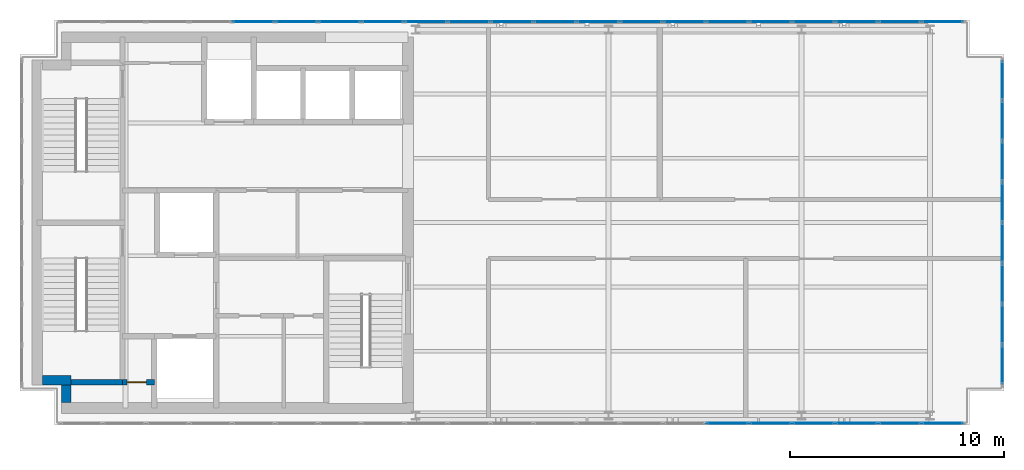
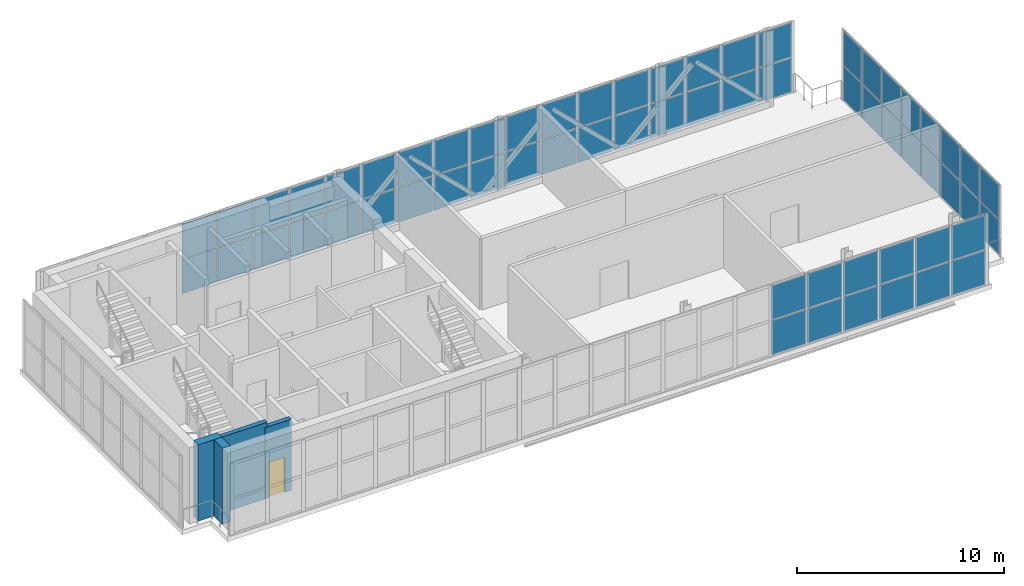
# One storey, part 17 of 21: 62 plates, 4 walls, 1 door, 1 opening, 3 elements without a shape of their own.
"""IFC4 building model written with IfcOpenShell, lengths in metres."""

from ifc_helpers import new_model, si_unit, direction, frame, frame_2d, origin, origin_2d, place, context, subcontext, project, spatial, rectangle, extrude, material, layer, layer_set, type_object, element, fill, aggregate, save


model = new_model("IFC4")

# Units and contexts
model_context = context("Model", 3, precision=1e-05, world=origin(), true_north=direction((0.0, 1.0)))
body_context = subcontext(model_context, "Body", "Model", "MODEL_VIEW")
ifc_project = project(units=[si_unit("LENGTHUNIT", "METRE"), si_unit("AREAUNIT", "SQUARE_METRE"), si_unit("VOLUMEUNIT", "CUBIC_METRE"), si_unit("PLANEANGLEUNIT", "RADIAN"), si_unit("MASSUNIT", "GRAM", prefix="KILO")], contexts=[model_context])

# Site, building, storey
site_placement = place(None, origin())
site = spatial("IfcSite", under=ifc_project, at=site_placement, CompositionType="ELEMENT")
building_placement = place(site_placement, origin())
building = spatial("IfcBuilding", under=site, at=building_placement, Name="Mawjdan Bourse Tower", CompositionType="ELEMENT")
storey_placement = place(building_placement, frame((0.0, 0.0, 313.199951171875)))
storey = spatial("IfcBuildingStorey", under=building, at=storey_placement, Name="L77", CompositionType="ELEMENT", Elevation=313.199951171875)

# Curtain wall, plates
ifc_material_1 = material(Name="Thermally Broken Aluminium and Solar Glass", Category="aluminium")
ifc_layer_1 = layer(ifc_material_1, 0.219970703125)
ifc_layer_set_1 = layer_set([ifc_layer_1], Name="Thermally Broken Aluminium and Solar Glass")
curtain_wall_type = type_object("IfcCurtainWallType", Name="CW-CRN", PredefinedType="USERDEFINED", material=ifc_layer_set_1)
curtain_wall_1_placement = place(storey_placement, origin())
curtain_wall_1 = element("IfcCurtainWall", 1, at=curtain_wall_1_placement, inside=storey, type_object=curtain_wall_type, Name="L77 Lantern Crown South Curtain Wall", ObjectType="LANTERN GLAZED CROWN", PredefinedType="USERDEFINED")
ifc_material_2 = material(Name="Night-Lit Fritted Lantern Glass", Category="glass")
ifc_layer_2 = layer(ifc_material_2, 0.0439453125)
ifc_layer_set_2 = layer_set([ifc_layer_2], Name="Night-Lit Fritted Lantern Glass")
plate_type = type_object("IfcPlateType", Name="PNL-CW-CRN", PredefinedType="CURTAIN_PANEL", material=ifc_layer_set_2)
plate_1_placement = place(storey_placement, frame((38.547607421875, 2.6298828125, 0.06005859375), z_axis=(0.0, 0.0, 1.0), x_axis=(1.0, 0.0, 0.0)))
plate_1 = element("IfcPlate", 2, at=plate_1_placement, type_object=plate_type, Name="CW-CRN-L77-CRN-S panel 16.1", PredefinedType="CURTAIN_PANEL", context=body_context, shape_type="SweptSolid", body=[
    extrude(rectangle(XDim=1.9345703125, YDim=0.0439453125, at=origin_2d()), origin(), (0.0, 0.0, 1.0), 2.02001953125),
])
plate_2_placement = place(storey_placement, frame((38.547607421875, 2.6298828125, 2.14013671875), z_axis=(0.0, 0.0, 1.0), x_axis=(1.0, 0.0, 0.0)))
plate_2 = element("IfcPlate", 3, at=plate_2_placement, type_object=plate_type, Name="CW-CRN-L77-CRN-S panel 16.2", PredefinedType="CURTAIN_PANEL", context=body_context, shape_type="SweptSolid", body=[
    extrude(rectangle(XDim=1.9345703125, YDim=0.0439453125, at=origin_2d()), origin(), (0.0, 0.0, 1.0), 2.02001953125),
])
plate_3_placement = place(storey_placement, frame((40.55712890625, 2.6298828125, 0.06005859375), z_axis=(0.0, 0.0, 1.0), x_axis=(1.0, 0.0, 0.0)))
plate_3 = element("IfcPlate", 4, at=plate_3_placement, type_object=plate_type, Name="CW-CRN-L77-CRN-S panel 17.1", PredefinedType="CURTAIN_PANEL", context=body_context, shape_type="SweptSolid", body=[
    extrude(rectangle(XDim=1.9345703125, YDim=0.0439453125, at=origin_2d()), origin(), (0.0, 0.0, 1.0), 2.02001953125),
])
plate_4_placement = place(storey_placement, frame((40.55712890625, 2.6298828125, 2.14013671875), z_axis=(0.0, 0.0, 1.0), x_axis=(1.0, 0.0, 0.0)))
plate_4 = element("IfcPlate", 5, at=plate_4_placement, type_object=plate_type, Name="CW-CRN-L77-CRN-S panel 17.2", PredefinedType="CURTAIN_PANEL", context=body_context, shape_type="SweptSolid", body=[
    extrude(rectangle(XDim=1.9345703125, YDim=0.0439453125, at=origin_2d()), origin(), (0.0, 0.0, 1.0), 2.02001953125),
])
plate_5_placement = place(storey_placement, frame((42.566650390625, 2.6298828125, 0.06005859375), z_axis=(0.0, 0.0, 1.0), x_axis=(1.0, 0.0, 0.0)))
plate_5 = element("IfcPlate", 6, at=plate_5_placement, type_object=plate_type, Name="CW-CRN-L77-CRN-S panel 18.1", PredefinedType="CURTAIN_PANEL", context=body_context, shape_type="SweptSolid", body=[
    extrude(rectangle(XDim=1.9345703125, YDim=0.0439453125, at=origin_2d()), origin(), (0.0, 0.0, 1.0), 2.02001953125),
])
plate_6_placement = place(storey_placement, frame((42.566650390625, 2.6298828125, 2.14013671875), z_axis=(0.0, 0.0, 1.0), x_axis=(1.0, 0.0, 0.0)))
plate_6 = element("IfcPlate", 7, at=plate_6_placement, type_object=plate_type, Name="CW-CRN-L77-CRN-S panel 18.2", PredefinedType="CURTAIN_PANEL", context=body_context, shape_type="SweptSolid", body=[
    extrude(rectangle(XDim=1.9345703125, YDim=0.0439453125, at=origin_2d()), origin(), (0.0, 0.0, 1.0), 2.02001953125),
])
plate_7_placement = place(storey_placement, frame((44.576171875, 2.6298828125, 0.06005859375), z_axis=(0.0, 0.0, 1.0), x_axis=(1.0, 0.0, 0.0)))
plate_7 = element("IfcPlate", 8, at=plate_7_placement, type_object=plate_type, Name="CW-CRN-L77-CRN-S panel 19.1", PredefinedType="CURTAIN_PANEL", context=body_context, shape_type="SweptSolid", body=[
    extrude(rectangle(XDim=1.9345703125, YDim=0.0439453125, at=origin_2d()), origin(), (0.0, 0.0, 1.0), 2.02001953125),
])
plate_8_placement = place(storey_placement, frame((44.576171875, 2.6298828125, 2.14013671875), z_axis=(0.0, 0.0, 1.0), x_axis=(1.0, 0.0, 0.0)))
plate_8 = element("IfcPlate", 9, at=plate_8_placement, type_object=plate_type, Name="CW-CRN-L77-CRN-S panel 19.2", PredefinedType="CURTAIN_PANEL", context=body_context, shape_type="SweptSolid", body=[
    extrude(rectangle(XDim=1.9345703125, YDim=0.0439453125, at=origin_2d()), origin(), (0.0, 0.0, 1.0), 2.02001953125),
])
plate_9_placement = place(storey_placement, frame((46.585693359375, 2.6298828125, 0.06005859375), z_axis=(0.0, 0.0, 1.0), x_axis=(1.0, 0.0, 0.0)))
plate_9 = element("IfcPlate", 10, at=plate_9_placement, type_object=plate_type, Name="CW-CRN-L77-CRN-S panel 20.1", PredefinedType="CURTAIN_PANEL", context=body_context, shape_type="SweptSolid", body=[
    extrude(rectangle(XDim=1.9345703125, YDim=0.0439453125, at=origin_2d()), origin(), (0.0, 0.0, 1.0), 2.02001953125),
])
plate_10_placement = place(storey_placement, frame((46.585693359375, 2.6298828125, 2.14013671875), z_axis=(0.0, 0.0, 1.0), x_axis=(1.0, 0.0, 0.0)))
plate_10 = element("IfcPlate", 11, at=plate_10_placement, type_object=plate_type, Name="CW-CRN-L77-CRN-S panel 20.2", PredefinedType="CURTAIN_PANEL", context=body_context, shape_type="SweptSolid", body=[
    extrude(rectangle(XDim=1.9345703125, YDim=0.0439453125, at=origin_2d()), origin(), (0.0, 0.0, 1.0), 2.02001953125),
])
plate_11_placement = place(storey_placement, frame((48.576416015625, 2.6298828125, 0.06005859375), z_axis=(0.0, 0.0, 1.0), x_axis=(1.0, 0.0, 0.0)))
plate_11 = element("IfcPlate", 12, at=plate_11_placement, type_object=plate_type, Name="CW-CRN-L77-CRN-S panel 21.1", PredefinedType="CURTAIN_PANEL", context=body_context, shape_type="SweptSolid", body=[
    extrude(rectangle(XDim=1.89697265625, YDim=0.0439453125, at=origin_2d()), origin(), (0.0, 0.0, 1.0), 2.02001953125),
])
plate_12_placement = place(storey_placement, frame((48.576416015625, 2.6298828125, 2.14013671875), z_axis=(0.0, 0.0, 1.0), x_axis=(1.0, 0.0, 0.0)))
plate_12 = element("IfcPlate", 13, at=plate_12_placement, type_object=plate_type, Name="CW-CRN-L77-CRN-S panel 21.2", PredefinedType="CURTAIN_PANEL", context=body_context, shape_type="SweptSolid", body=[
    extrude(rectangle(XDim=1.89697265625, YDim=0.0439453125, at=origin_2d()), origin(), (0.0, 0.0, 1.0), 2.02001953125),
])
aggregate(curtain_wall_1, [plate_1, plate_2, plate_3, plate_4, plate_5, plate_6, plate_7, plate_8, plate_9, plate_10, plate_11, plate_12])

curtain_wall_2_placement = place(storey_placement, origin())
curtain_wall_2 = element("IfcCurtainWall", 14, at=curtain_wall_2_placement, inside=storey, type_object=curtain_wall_type, Name="L77 Lantern Crown East Curtain Wall", ObjectType="LANTERN GLAZED CROWN", PredefinedType="USERDEFINED")
plate_13_placement = place(storey_placement, frame((51.3701171875, 5.36865234375, 0.06005859375), z_axis=(0.0, 0.0, 1.0), x_axis=(0.0, 1.0, 0.0)))
plate_13 = element("IfcPlate", 15, at=plate_13_placement, type_object=plate_type, Name="CW-CRN-L77-CRN-E panel 1.1", PredefinedType="CURTAIN_PANEL", context=body_context, shape_type="SweptSolid", body=[
    extrude(rectangle(XDim=1.78759765625, YDim=0.0439453125, at=origin_2d()), origin(), (0.0, 0.0, 1.0), 2.02001953125),
])
plate_14_placement = place(storey_placement, frame((51.3701171875, 5.36865234375, 2.14013671875), z_axis=(0.0, 0.0, 1.0), x_axis=(0.0, 1.0, 0.0)))
plate_14 = element("IfcPlate", 16, at=plate_14_placement, type_object=plate_type, Name="CW-CRN-L77-CRN-E panel 1.2", PredefinedType="CURTAIN_PANEL", context=body_context, shape_type="SweptSolid", body=[
    extrude(rectangle(XDim=1.78759765625, YDim=0.0439453125, at=origin_2d()), origin(), (0.0, 0.0, 1.0), 2.02001953125),
])
plate_15_placement = place(storey_placement, frame((51.3701171875, 7.25, 0.06005859375), z_axis=(0.0, 0.0, 1.0), x_axis=(0.0, 1.0, 0.0)))
plate_15 = element("IfcPlate", 17, at=plate_15_placement, type_object=plate_type, Name="CW-CRN-L77-CRN-E panel 2.1", PredefinedType="CURTAIN_PANEL", context=body_context, shape_type="SweptSolid", body=[
    extrude(rectangle(XDim=1.824951171875, YDim=0.0439453125, at=origin_2d()), origin(), (0.0, 0.0, 1.0), 2.02001953125),
])
plate_16_placement = place(storey_placement, frame((51.3701171875, 7.25, 2.14013671875), z_axis=(0.0, 0.0, 1.0), x_axis=(0.0, 1.0, 0.0)))
plate_16 = element("IfcPlate", 18, at=plate_16_placement, type_object=plate_type, Name="CW-CRN-L77-CRN-E panel 2.2", PredefinedType="CURTAIN_PANEL", context=body_context, shape_type="SweptSolid", body=[
    extrude(rectangle(XDim=1.824951171875, YDim=0.0439453125, at=origin_2d()), origin(), (0.0, 0.0, 1.0), 2.02001953125),
])
plate_17_placement = place(storey_placement, frame((51.3701171875, 9.14990234375, 0.06005859375), z_axis=(0.0, 0.0, 1.0), x_axis=(0.0, 1.0, 0.0)))
plate_17 = element("IfcPlate", 19, at=plate_17_placement, type_object=plate_type, Name="CW-CRN-L77-CRN-E panel 3.1", PredefinedType="CURTAIN_PANEL", context=body_context, shape_type="SweptSolid", body=[
    extrude(rectangle(XDim=1.824951171875, YDim=0.0439453125, at=origin_2d()), origin(), (0.0, 0.0, 1.0), 2.02001953125),
])
plate_18_placement = place(storey_placement, frame((51.3701171875, 9.14990234375, 2.14013671875), z_axis=(0.0, 0.0, 1.0), x_axis=(0.0, 1.0, 0.0)))
plate_18 = element("IfcPlate", 20, at=plate_18_placement, type_object=plate_type, Name="CW-CRN-L77-CRN-E panel 3.2", PredefinedType="CURTAIN_PANEL", context=body_context, shape_type="SweptSolid", body=[
    extrude(rectangle(XDim=1.824951171875, YDim=0.0439453125, at=origin_2d()), origin(), (0.0, 0.0, 1.0), 2.02001953125),
])
plate_19_placement = place(storey_placement, frame((51.3701171875, 11.050048828125, 0.06005859375), z_axis=(0.0, 0.0, 1.0), x_axis=(0.0, 1.0, 0.0)))
plate_19 = element("IfcPlate", 21, at=plate_19_placement, type_object=plate_type, Name="CW-CRN-L77-CRN-E panel 4.1", PredefinedType="CURTAIN_PANEL", context=body_context, shape_type="SweptSolid", body=[
    extrude(rectangle(XDim=1.824951171875, YDim=0.0439453125, at=origin_2d()), origin(), (0.0, 0.0, 1.0), 2.02001953125),
])
plate_20_placement = place(storey_placement, frame((51.3701171875, 11.050048828125, 2.14013671875), z_axis=(0.0, 0.0, 1.0), x_axis=(0.0, 1.0, 0.0)))
plate_20 = element("IfcPlate", 22, at=plate_20_placement, type_object=plate_type, Name="CW-CRN-L77-CRN-E panel 4.2", PredefinedType="CURTAIN_PANEL", context=body_context, shape_type="SweptSolid", body=[
    extrude(rectangle(XDim=1.824951171875, YDim=0.0439453125, at=origin_2d()), origin(), (0.0, 0.0, 1.0), 2.02001953125),
])
plate_21_placement = place(storey_placement, frame((51.3701171875, 12.949951171875, 0.06005859375), z_axis=(0.0, 0.0, 1.0), x_axis=(0.0, 1.0, 0.0)))
plate_21 = element("IfcPlate", 23, at=plate_21_placement, type_object=plate_type, Name="CW-CRN-L77-CRN-E panel 5.1", PredefinedType="CURTAIN_PANEL", context=body_context, shape_type="SweptSolid", body=[
    extrude(rectangle(XDim=1.824951171875, YDim=0.0439453125, at=origin_2d()), origin(), (0.0, 0.0, 1.0), 2.02001953125),
])
plate_22_placement = place(storey_placement, frame((51.3701171875, 12.949951171875, 2.14013671875), z_axis=(0.0, 0.0, 1.0), x_axis=(0.0, 1.0, 0.0)))
plate_22 = element("IfcPlate", 24, at=plate_22_placement, type_object=plate_type, Name="CW-CRN-L77-CRN-E panel 5.2", PredefinedType="CURTAIN_PANEL", context=body_context, shape_type="SweptSolid", body=[
    extrude(rectangle(XDim=1.824951171875, YDim=0.0439453125, at=origin_2d()), origin(), (0.0, 0.0, 1.0), 2.02001953125),
])
plate_23_placement = place(storey_placement, frame((51.3701171875, 14.85009765625, 0.06005859375), z_axis=(0.0, 0.0, 1.0), x_axis=(0.0, 1.0, 0.0)))
plate_23 = element("IfcPlate", 25, at=plate_23_placement, type_object=plate_type, Name="CW-CRN-L77-CRN-E panel 6.1", PredefinedType="CURTAIN_PANEL", context=body_context, shape_type="SweptSolid", body=[
    extrude(rectangle(XDim=1.824951171875, YDim=0.0439453125, at=origin_2d()), origin(), (0.0, 0.0, 1.0), 2.02001953125),
])
plate_24_placement = place(storey_placement, frame((51.3701171875, 14.85009765625, 2.14013671875), z_axis=(0.0, 0.0, 1.0), x_axis=(0.0, 1.0, 0.0)))
plate_24 = element("IfcPlate", 26, at=plate_24_placement, type_object=plate_type, Name="CW-CRN-L77-CRN-E panel 6.2", PredefinedType="CURTAIN_PANEL", context=body_context, shape_type="SweptSolid", body=[
    extrude(rectangle(XDim=1.824951171875, YDim=0.0439453125, at=origin_2d()), origin(), (0.0, 0.0, 1.0), 2.02001953125),
])
plate_25_placement = place(storey_placement, frame((51.3701171875, 16.75, 0.06005859375), z_axis=(0.0, 0.0, 1.0), x_axis=(0.0, 1.0, 0.0)))
plate_25 = element("IfcPlate", 27, at=plate_25_placement, type_object=plate_type, Name="CW-CRN-L77-CRN-E panel 7.1", PredefinedType="CURTAIN_PANEL", context=body_context, shape_type="SweptSolid", body=[
    extrude(rectangle(XDim=1.824951171875, YDim=0.0439453125, at=origin_2d()), origin(), (0.0, 0.0, 1.0), 2.02001953125),
])
plate_26_placement = place(storey_placement, frame((51.3701171875, 16.75, 2.14013671875), z_axis=(0.0, 0.0, 1.0), x_axis=(0.0, 1.0, 0.0)))
plate_26 = element("IfcPlate", 28, at=plate_26_placement, type_object=plate_type, Name="CW-CRN-L77-CRN-E panel 7.2", PredefinedType="CURTAIN_PANEL", context=body_context, shape_type="SweptSolid", body=[
    extrude(rectangle(XDim=1.824951171875, YDim=0.0439453125, at=origin_2d()), origin(), (0.0, 0.0, 1.0), 2.02001953125),
])
plate_27_placement = place(storey_placement, frame((51.3701171875, 18.63134765625, 0.06005859375), z_axis=(0.0, 0.0, 1.0), x_axis=(0.0, 1.0, 0.0)))
plate_27 = element("IfcPlate", 29, at=plate_27_placement, type_object=plate_type, Name="CW-CRN-L77-CRN-E panel 8.1", PredefinedType="CURTAIN_PANEL", context=body_context, shape_type="SweptSolid", body=[
    extrude(rectangle(XDim=1.78759765625, YDim=0.0439453125, at=origin_2d()), origin(), (0.0, 0.0, 1.0), 2.02001953125),
])
plate_28_placement = place(storey_placement, frame((51.3701171875, 18.63134765625, 2.14013671875), z_axis=(0.0, 0.0, 1.0), x_axis=(0.0, 1.0, 0.0)))
plate_28 = element("IfcPlate", 30, at=plate_28_placement, type_object=plate_type, Name="CW-CRN-L77-CRN-E panel 8.2", PredefinedType="CURTAIN_PANEL", context=body_context, shape_type="SweptSolid", body=[
    extrude(rectangle(XDim=1.78759765625, YDim=0.0439453125, at=origin_2d()), origin(), (0.0, 0.0, 1.0), 2.02001953125),
])
aggregate(curtain_wall_2, [plate_13, plate_14, plate_15, plate_16, plate_17, plate_18, plate_19, plate_20, plate_21, plate_22, plate_23, plate_24, plate_25, plate_26, plate_27, plate_28])

curtain_wall_3_placement = place(storey_placement, origin())
curtain_wall_3 = element("IfcCurtainWall", 31, at=curtain_wall_3_placement, inside=storey, type_object=curtain_wall_type, Name="L77 Lantern Crown North Curtain Wall", ObjectType="LANTERN GLAZED CROWN", PredefinedType="USERDEFINED")
plate_29_placement = place(storey_placement, frame((48.576416015625, 21.3701171875, 0.06005859375), z_axis=(0.0, 0.0, 1.0), x_axis=(-1.0, 0.0, 0.0)))
plate_29 = element("IfcPlate", 32, at=plate_29_placement, type_object=plate_type, Name="CW-CRN-L77-CRN-N panel 1.1", PredefinedType="CURTAIN_PANEL", context=body_context, shape_type="SweptSolid", body=[
    extrude(rectangle(XDim=1.89697265625, YDim=0.0439453125, at=origin_2d()), origin(), (0.0, 0.0, 1.0), 2.02001953125),
])
plate_30_placement = place(storey_placement, frame((48.576416015625, 21.3701171875, 2.14013671875), z_axis=(0.0, 0.0, 1.0), x_axis=(-1.0, 0.0, 0.0)))
plate_30 = element("IfcPlate", 33, at=plate_30_placement, type_object=plate_type, Name="CW-CRN-L77-CRN-N panel 1.2", PredefinedType="CURTAIN_PANEL", context=body_context, shape_type="SweptSolid", body=[
    extrude(rectangle(XDim=1.89697265625, YDim=0.0439453125, at=origin_2d()), origin(), (0.0, 0.0, 1.0), 2.02001953125),
])
plate_31_placement = place(storey_placement, frame((46.585693359375, 21.3701171875, 0.06005859375), z_axis=(0.0, 0.0, 1.0), x_axis=(-1.0, 0.0, 0.0)))
plate_31 = element("IfcPlate", 34, at=plate_31_placement, type_object=plate_type, Name="CW-CRN-L77-CRN-N panel 2.1", PredefinedType="CURTAIN_PANEL", context=body_context, shape_type="SweptSolid", body=[
    extrude(rectangle(XDim=1.9345703125, YDim=0.0439453125, at=origin_2d()), origin(), (0.0, 0.0, 1.0), 2.02001953125),
])
plate_32_placement = place(storey_placement, frame((46.585693359375, 21.3701171875, 2.14013671875), z_axis=(0.0, 0.0, 1.0), x_axis=(-1.0, 0.0, 0.0)))
plate_32 = element("IfcPlate", 35, at=plate_32_placement, type_object=plate_type, Name="CW-CRN-L77-CRN-N panel 2.2", PredefinedType="CURTAIN_PANEL", context=body_context, shape_type="SweptSolid", body=[
    extrude(rectangle(XDim=1.9345703125, YDim=0.0439453125, at=origin_2d()), origin(), (0.0, 0.0, 1.0), 2.02001953125),
])
plate_33_placement = place(storey_placement, frame((44.576171875, 21.3701171875, 0.06005859375), z_axis=(0.0, 0.0, 1.0), x_axis=(-1.0, 0.0, 0.0)))
plate_33 = element("IfcPlate", 36, at=plate_33_placement, type_object=plate_type, Name="CW-CRN-L77-CRN-N panel 3.1", PredefinedType="CURTAIN_PANEL", context=body_context, shape_type="SweptSolid", body=[
    extrude(rectangle(XDim=1.9345703125, YDim=0.0439453125, at=origin_2d()), origin(), (0.0, 0.0, 1.0), 2.02001953125),
])
plate_34_placement = place(storey_placement, frame((44.576171875, 21.3701171875, 2.14013671875), z_axis=(0.0, 0.0, 1.0), x_axis=(-1.0, 0.0, 0.0)))
plate_34 = element("IfcPlate", 37, at=plate_34_placement, type_object=plate_type, Name="CW-CRN-L77-CRN-N panel 3.2", PredefinedType="CURTAIN_PANEL", context=body_context, shape_type="SweptSolid", body=[
    extrude(rectangle(XDim=1.9345703125, YDim=0.0439453125, at=origin_2d()), origin(), (0.0, 0.0, 1.0), 2.02001953125),
])
plate_35_placement = place(storey_placement, frame((42.566650390625, 21.3701171875, 0.06005859375), z_axis=(0.0, 0.0, 1.0), x_axis=(-1.0, 0.0, 0.0)))
plate_35 = element("IfcPlate", 38, at=plate_35_placement, type_object=plate_type, Name="CW-CRN-L77-CRN-N panel 4.1", PredefinedType="CURTAIN_PANEL", context=body_context, shape_type="SweptSolid", body=[
    extrude(rectangle(XDim=1.9345703125, YDim=0.0439453125, at=origin_2d()), origin(), (0.0, 0.0, 1.0), 2.02001953125),
])
plate_36_placement = place(storey_placement, frame((42.566650390625, 21.3701171875, 2.14013671875), z_axis=(0.0, 0.0, 1.0), x_axis=(-1.0, 0.0, 0.0)))
plate_36 = element("IfcPlate", 39, at=plate_36_placement, type_object=plate_type, Name="CW-CRN-L77-CRN-N panel 4.2", PredefinedType="CURTAIN_PANEL", context=body_context, shape_type="SweptSolid", body=[
    extrude(rectangle(XDim=1.9345703125, YDim=0.0439453125, at=origin_2d()), origin(), (0.0, 0.0, 1.0), 2.02001953125),
])
plate_37_placement = place(storey_placement, frame((40.55712890625, 21.3701171875, 0.06005859375), z_axis=(0.0, 0.0, 1.0), x_axis=(-1.0, 0.0, 0.0)))
plate_37 = element("IfcPlate", 40, at=plate_37_placement, type_object=plate_type, Name="CW-CRN-L77-CRN-N panel 5.1", PredefinedType="CURTAIN_PANEL", context=body_context, shape_type="SweptSolid", body=[
    extrude(rectangle(XDim=1.9345703125, YDim=0.0439453125, at=origin_2d()), origin(), (0.0, 0.0, 1.0), 2.02001953125),
])
plate_38_placement = place(storey_placement, frame((40.55712890625, 21.3701171875, 2.14013671875), z_axis=(0.0, 0.0, 1.0), x_axis=(-1.0, 0.0, 0.0)))
plate_38 = element("IfcPlate", 41, at=plate_38_placement, type_object=plate_type, Name="CW-CRN-L77-CRN-N panel 5.2", PredefinedType="CURTAIN_PANEL", context=body_context, shape_type="SweptSolid", body=[
    extrude(rectangle(XDim=1.9345703125, YDim=0.0439453125, at=origin_2d()), origin(), (0.0, 0.0, 1.0), 2.02001953125),
])
plate_39_placement = place(storey_placement, frame((38.547607421875, 21.3701171875, 0.06005859375), z_axis=(0.0, 0.0, 1.0), x_axis=(-1.0, 0.0, 0.0)))
plate_39 = element("IfcPlate", 42, at=plate_39_placement, type_object=plate_type, Name="CW-CRN-L77-CRN-N panel 6.1", PredefinedType="CURTAIN_PANEL", context=body_context, shape_type="SweptSolid", body=[
    extrude(rectangle(XDim=1.9345703125, YDim=0.0439453125, at=origin_2d()), origin(), (0.0, 0.0, 1.0), 2.02001953125),
])
plate_40_placement = place(storey_placement, frame((38.547607421875, 21.3701171875, 2.14013671875), z_axis=(0.0, 0.0, 1.0), x_axis=(-1.0, 0.0, 0.0)))
plate_40 = element("IfcPlate", 43, at=plate_40_placement, type_object=plate_type, Name="CW-CRN-L77-CRN-N panel 6.2", PredefinedType="CURTAIN_PANEL", context=body_context, shape_type="SweptSolid", body=[
    extrude(rectangle(XDim=1.9345703125, YDim=0.0439453125, at=origin_2d()), origin(), (0.0, 0.0, 1.0), 2.02001953125),
])
plate_41_placement = place(storey_placement, frame((36.5380859375, 21.3701171875, 0.06005859375), z_axis=(0.0, 0.0, 1.0), x_axis=(-1.0, 0.0, 0.0)))
plate_41 = element("IfcPlate", 44, at=plate_41_placement, type_object=plate_type, Name="CW-CRN-L77-CRN-N panel 7.1", PredefinedType="CURTAIN_PANEL", context=body_context, shape_type="SweptSolid", body=[
    extrude(rectangle(XDim=1.9345703125, YDim=0.0439453125, at=origin_2d()), origin(), (0.0, 0.0, 1.0), 2.02001953125),
])
plate_42_placement = place(storey_placement, frame((36.5380859375, 21.3701171875, 2.14013671875), z_axis=(0.0, 0.0, 1.0), x_axis=(-1.0, 0.0, 0.0)))
plate_42 = element("IfcPlate", 45, at=plate_42_placement, type_object=plate_type, Name="CW-CRN-L77-CRN-N panel 7.2", PredefinedType="CURTAIN_PANEL", context=body_context, shape_type="SweptSolid", body=[
    extrude(rectangle(XDim=1.9345703125, YDim=0.0439453125, at=origin_2d()), origin(), (0.0, 0.0, 1.0), 2.02001953125),
])
plate_43_placement = place(storey_placement, frame((34.528564453125, 21.3701171875, 0.06005859375), z_axis=(0.0, 0.0, 1.0), x_axis=(-1.0, 0.0, 0.0)))
plate_43 = element("IfcPlate", 46, at=plate_43_placement, type_object=plate_type, Name="CW-CRN-L77-CRN-N panel 8.1", PredefinedType="CURTAIN_PANEL", context=body_context, shape_type="SweptSolid", body=[
    extrude(rectangle(XDim=1.9345703125, YDim=0.0439453125, at=origin_2d()), origin(), (0.0, 0.0, 1.0), 2.02001953125),
])
plate_44_placement = place(storey_placement, frame((34.528564453125, 21.3701171875, 2.14013671875), z_axis=(0.0, 0.0, 1.0), x_axis=(-1.0, 0.0, 0.0)))
plate_44 = element("IfcPlate", 47, at=plate_44_placement, type_object=plate_type, Name="CW-CRN-L77-CRN-N panel 8.2", PredefinedType="CURTAIN_PANEL", context=body_context, shape_type="SweptSolid", body=[
    extrude(rectangle(XDim=1.9345703125, YDim=0.0439453125, at=origin_2d()), origin(), (0.0, 0.0, 1.0), 2.02001953125),
])
plate_45_placement = place(storey_placement, frame((32.51904296875, 21.3701171875, 0.06005859375), z_axis=(0.0, 0.0, 1.0), x_axis=(-1.0, 0.0, 0.0)))
plate_45 = element("IfcPlate", 48, at=plate_45_placement, type_object=plate_type, Name="CW-CRN-L77-CRN-N panel 9.1", PredefinedType="CURTAIN_PANEL", context=body_context, shape_type="SweptSolid", body=[
    extrude(rectangle(XDim=1.9345703125, YDim=0.0439453125, at=origin_2d()), origin(), (0.0, 0.0, 1.0), 2.02001953125),
])
plate_46_placement = place(storey_placement, frame((32.51904296875, 21.3701171875, 2.14013671875), z_axis=(0.0, 0.0, 1.0), x_axis=(-1.0, 0.0, 0.0)))
plate_46 = element("IfcPlate", 49, at=plate_46_placement, type_object=plate_type, Name="CW-CRN-L77-CRN-N panel 9.2", PredefinedType="CURTAIN_PANEL", context=body_context, shape_type="SweptSolid", body=[
    extrude(rectangle(XDim=1.9345703125, YDim=0.0439453125, at=origin_2d()), origin(), (0.0, 0.0, 1.0), 2.02001953125),
])
plate_47_placement = place(storey_placement, frame((30.509521484375, 21.3701171875, 0.06005859375), z_axis=(0.0, 0.0, 1.0), x_axis=(-1.0, 0.0, 0.0)))
plate_47 = element("IfcPlate", 50, at=plate_47_placement, type_object=plate_type, Name="CW-CRN-L77-CRN-N panel 10.1", PredefinedType="CURTAIN_PANEL", context=body_context, shape_type="SweptSolid", body=[
    extrude(rectangle(XDim=1.9345703125, YDim=0.0439453125, at=origin_2d()), origin(), (0.0, 0.0, 1.0), 2.02001953125),
])
plate_48_placement = place(storey_placement, frame((30.509521484375, 21.3701171875, 2.14013671875), z_axis=(0.0, 0.0, 1.0), x_axis=(-1.0, 0.0, 0.0)))
plate_48 = element("IfcPlate", 51, at=plate_48_placement, type_object=plate_type, Name="CW-CRN-L77-CRN-N panel 10.2", PredefinedType="CURTAIN_PANEL", context=body_context, shape_type="SweptSolid", body=[
    extrude(rectangle(XDim=1.9345703125, YDim=0.0439453125, at=origin_2d()), origin(), (0.0, 0.0, 1.0), 2.02001953125),
])
plate_49_placement = place(storey_placement, frame((28.5, 21.3701171875, 0.06005859375), z_axis=(0.0, 0.0, 1.0), x_axis=(-1.0, 0.0, 0.0)))
plate_49 = element("IfcPlate", 52, at=plate_49_placement, type_object=plate_type, Name="CW-CRN-L77-CRN-N panel 11.1", PredefinedType="CURTAIN_PANEL", context=body_context, shape_type="SweptSolid", body=[
    extrude(rectangle(XDim=1.9345703125, YDim=0.0439453125, at=origin_2d()), origin(), (0.0, 0.0, 1.0), 2.02001953125),
])
plate_50_placement = place(storey_placement, frame((28.5, 21.3701171875, 2.14013671875), z_axis=(0.0, 0.0, 1.0), x_axis=(-1.0, 0.0, 0.0)))
plate_50 = element("IfcPlate", 53, at=plate_50_placement, type_object=plate_type, Name="CW-CRN-L77-CRN-N panel 11.2", PredefinedType="CURTAIN_PANEL", context=body_context, shape_type="SweptSolid", body=[
    extrude(rectangle(XDim=1.9345703125, YDim=0.0439453125, at=origin_2d()), origin(), (0.0, 0.0, 1.0), 2.02001953125),
])
plate_51_placement = place(storey_placement, frame((26.490478515625, 21.3701171875, 0.06005859375), z_axis=(0.0, 0.0, 1.0), x_axis=(-1.0, 0.0, 0.0)))
plate_51 = element("IfcPlate", 54, at=plate_51_placement, type_object=plate_type, Name="CW-CRN-L77-CRN-N panel 12.1", PredefinedType="CURTAIN_PANEL", context=body_context, shape_type="SweptSolid", body=[
    extrude(rectangle(XDim=1.9345703125, YDim=0.0439453125, at=origin_2d()), origin(), (0.0, 0.0, 1.0), 2.02001953125),
])
plate_52_placement = place(storey_placement, frame((26.490478515625, 21.3701171875, 2.14013671875), z_axis=(0.0, 0.0, 1.0), x_axis=(-1.0, 0.0, 0.0)))
plate_52 = element("IfcPlate", 55, at=plate_52_placement, type_object=plate_type, Name="CW-CRN-L77-CRN-N panel 12.2", PredefinedType="CURTAIN_PANEL", context=body_context, shape_type="SweptSolid", body=[
    extrude(rectangle(XDim=1.9345703125, YDim=0.0439453125, at=origin_2d()), origin(), (0.0, 0.0, 1.0), 2.02001953125),
])
plate_53_placement = place(storey_placement, frame((24.48095703125, 21.3701171875, 0.06005859375), z_axis=(0.0, 0.0, 1.0), x_axis=(-1.0, 0.0, 0.0)))
plate_53 = element("IfcPlate", 56, at=plate_53_placement, type_object=plate_type, Name="CW-CRN-L77-CRN-N panel 13.1", PredefinedType="CURTAIN_PANEL", context=body_context, shape_type="SweptSolid", body=[
    extrude(rectangle(XDim=1.9345703125, YDim=0.0439453125, at=origin_2d()), origin(), (0.0, 0.0, 1.0), 2.02001953125),
])
plate_54_placement = place(storey_placement, frame((24.48095703125, 21.3701171875, 2.14013671875), z_axis=(0.0, 0.0, 1.0), x_axis=(-1.0, 0.0, 0.0)))
plate_54 = element("IfcPlate", 57, at=plate_54_placement, type_object=plate_type, Name="CW-CRN-L77-CRN-N panel 13.2", PredefinedType="CURTAIN_PANEL", context=body_context, shape_type="SweptSolid", body=[
    extrude(rectangle(XDim=1.9345703125, YDim=0.0439453125, at=origin_2d()), origin(), (0.0, 0.0, 1.0), 2.02001953125),
])
plate_55_placement = place(storey_placement, frame((22.471435546875, 21.3701171875, 0.06005859375), z_axis=(0.0, 0.0, 1.0), x_axis=(-1.0, 0.0, 0.0)))
plate_55 = element("IfcPlate", 58, at=plate_55_placement, type_object=plate_type, Name="CW-CRN-L77-CRN-N panel 14.1", PredefinedType="CURTAIN_PANEL", context=body_context, shape_type="SweptSolid", body=[
    extrude(rectangle(XDim=1.9345703125, YDim=0.0439453125, at=origin_2d()), origin(), (0.0, 0.0, 1.0), 2.02001953125),
])
plate_56_placement = place(storey_placement, frame((22.471435546875, 21.3701171875, 2.14013671875), z_axis=(0.0, 0.0, 1.0), x_axis=(-1.0, 0.0, 0.0)))
plate_56 = element("IfcPlate", 59, at=plate_56_placement, type_object=plate_type, Name="CW-CRN-L77-CRN-N panel 14.2", PredefinedType="CURTAIN_PANEL", context=body_context, shape_type="SweptSolid", body=[
    extrude(rectangle(XDim=1.9345703125, YDim=0.0439453125, at=origin_2d()), origin(), (0.0, 0.0, 1.0), 2.02001953125),
])
plate_57_placement = place(storey_placement, frame((20.4619140625, 21.3701171875, 0.06005859375), z_axis=(0.0, 0.0, 1.0), x_axis=(-1.0, 0.0, 0.0)))
plate_57 = element("IfcPlate", 60, at=plate_57_placement, type_object=plate_type, Name="CW-CRN-L77-CRN-N panel 15.1", PredefinedType="CURTAIN_PANEL", context=body_context, shape_type="SweptSolid", body=[
    extrude(rectangle(XDim=1.9345703125, YDim=0.0439453125, at=origin_2d()), origin(), (0.0, 0.0, 1.0), 2.02001953125),
])
plate_58_placement = place(storey_placement, frame((20.4619140625, 21.3701171875, 2.14013671875), z_axis=(0.0, 0.0, 1.0), x_axis=(-1.0, 0.0, 0.0)))
plate_58 = element("IfcPlate", 61, at=plate_58_placement, type_object=plate_type, Name="CW-CRN-L77-CRN-N panel 15.2", PredefinedType="CURTAIN_PANEL", context=body_context, shape_type="SweptSolid", body=[
    extrude(rectangle(XDim=1.9345703125, YDim=0.0439453125, at=origin_2d()), origin(), (0.0, 0.0, 1.0), 2.02001953125),
])
plate_59_placement = place(storey_placement, frame((18.452392578125, 21.3701171875, 0.06005859375), z_axis=(0.0, 0.0, 1.0), x_axis=(-1.0, 0.0, 0.0)))
plate_59 = element("IfcPlate", 62, at=plate_59_placement, type_object=plate_type, Name="CW-CRN-L77-CRN-N panel 16.1", PredefinedType="CURTAIN_PANEL", context=body_context, shape_type="SweptSolid", body=[
    extrude(rectangle(XDim=1.9345703125, YDim=0.0439453125, at=origin_2d()), origin(), (0.0, 0.0, 1.0), 2.02001953125),
])
plate_60_placement = place(storey_placement, frame((18.452392578125, 21.3701171875, 2.14013671875), z_axis=(0.0, 0.0, 1.0), x_axis=(-1.0, 0.0, 0.0)))
plate_60 = element("IfcPlate", 63, at=plate_60_placement, type_object=plate_type, Name="CW-CRN-L77-CRN-N panel 16.2", PredefinedType="CURTAIN_PANEL", context=body_context, shape_type="SweptSolid", body=[
    extrude(rectangle(XDim=1.9345703125, YDim=0.0439453125, at=origin_2d()), origin(), (0.0, 0.0, 1.0), 2.02001953125),
])
plate_61_placement = place(storey_placement, frame((16.44287109375, 21.3701171875, 0.06005859375), z_axis=(0.0, 0.0, 1.0), x_axis=(-1.0, 0.0, 0.0)))
plate_61 = element("IfcPlate", 64, at=plate_61_placement, type_object=plate_type, Name="CW-CRN-L77-CRN-N panel 17.1", PredefinedType="CURTAIN_PANEL", context=body_context, shape_type="SweptSolid", body=[
    extrude(rectangle(XDim=1.9345703125, YDim=0.0439453125, at=origin_2d()), origin(), (0.0, 0.0, 1.0), 2.02001953125),
])
plate_62_placement = place(storey_placement, frame((16.44287109375, 21.3701171875, 2.14013671875), z_axis=(0.0, 0.0, 1.0), x_axis=(-1.0, 0.0, 0.0)))
plate_62 = element("IfcPlate", 65, at=plate_62_placement, type_object=plate_type, Name="CW-CRN-L77-CRN-N panel 17.2", PredefinedType="CURTAIN_PANEL", context=body_context, shape_type="SweptSolid", body=[
    extrude(rectangle(XDim=1.9345703125, YDim=0.0439453125, at=origin_2d()), origin(), (0.0, 0.0, 1.0), 2.02001953125),
])
aggregate(curtain_wall_3, [plate_29, plate_30, plate_31, plate_32, plate_33, plate_34, plate_35, plate_36, plate_37, plate_38, plate_39, plate_40, plate_41, plate_42, plate_43, plate_44, plate_45, plate_46, plate_47, plate_48, plate_49, plate_50, plate_51, plate_52, plate_53, plate_54, plate_55, plate_56, plate_57, plate_58, plate_59, plate_60, plate_61, plate_62])

# Walls
ifc_material_3 = material(Name="Concrete C60/75", Category="concrete")
ifc_layer_3 = layer(ifc_material_3, 0.449951171875)
ifc_layer_set_3 = layer_set([ifc_layer_3], Name="Concrete C60/75")
wall_type_1 = type_object("IfcWallType", Name="WL-CORE-450", PredefinedType="SHEAR", material=ifc_layer_set_3)
wall_1_placement = place(storey_placement, frame((6.60009765625, 4.64990234375, 0.0), z_axis=(0.0, 0.0, 1.0), x_axis=(1.0, 0.0, 0.0)))
element("IfcWall", 66, at=wall_1_placement, inside=storey, type_object=wall_type_1, Name="L77 Rear Core Shear Wall SW-X", PredefinedType="SHEAR", context=body_context, shape_type="SweptSolid", body=[
    extrude(rectangle(XDim=1.324951171875, YDim=0.449951171875, at=frame_2d((0.66259765625, 0.0))), origin(), (0.0, 0.0, 1.0), 4.5),
])
wall_2_placement = place(storey_placement, frame((7.699951171875, 3.60009765625, 0.0), z_axis=(0.0, 0.0, 1.0), x_axis=(0.0, 1.0, 0.0)))
element("IfcWall", 67, at=wall_2_placement, inside=storey, type_object=wall_type_1, Name="L77 Rear Core Shear Wall SW-Y", PredefinedType="SHEAR", context=body_context, shape_type="SweptSolid", body=[
    extrude(rectangle(XDim=0.824951171875, YDim=0.449951171875, at=frame_2d((0.41259765625, 0.0))), origin(), (0.0, 0.0, 1.0), 4.5),
])

# Wall, opening, door
ifc_material_4 = material(Name="Concrete C50/60", Category="concrete")
ifc_layer_4 = layer(ifc_material_4, 0.25)
ifc_layer_set_4 = layer_set([ifc_layer_4], Name="Concrete C50/60")
wall_type_2 = type_object("IfcWallType", Name="WL-SHFT-250", PredefinedType="PARTITIONING", material=ifc_layer_set_4)
wall_3_placement = place(storey_placement, frame((10.330078125, 4.550048828125, 0.0), z_axis=(0.0, 0.0, 1.0), x_axis=(1.0, 0.0, 0.0)))
wall_3 = element("IfcWall", 68, at=wall_3_placement, inside=storey, type_object=wall_type_2, Name="L77 SW Riser North Wall", PredefinedType="PARTITIONING", context=body_context, shape_type="SweptSolid", body=[
    extrude(rectangle(XDim=1.489990234375, YDim=0.25, at=frame_2d((0.7451171875, 0.0))), origin(), (0.0, 0.0, 1.0), 4.2099609375),
])
opening_placement = place(wall_3_placement, frame((0.219970703125, 0.0, 0.0)))
opening = element("IfcOpeningElement", 69, at=opening_placement, cuts=wall_3, Name="Opening RD-L77-03", PredefinedType="OPENING", context=body_context, shape_type="SweptSolid", body=[
    extrude(rectangle(XDim=0.89990234375, YDim=2.10009765625, at=frame_2d((0.449951171875, 1.050048828125))), frame((0.0, 0.135009765625, 0.0), z_axis=(0.0, -1.0, 0.0), x_axis=(1.0, 0.0, 0.0)), (0.0, 0.0, 1.0), 0.27001953125),
])
ifc_material_5 = material(Name="Fire-Rated Steel Access Leaf", Category="steel")
door_type = type_object("IfcDoorType", Name="FD-RSR-0900", OperationType="NOTDEFINED", PredefinedType="TRAPDOOR", material=ifc_material_5)
door_placement = place(opening_placement, origin())
door = element("IfcDoor", 70, at=door_placement, inside=storey, type_object=door_type, Name="L77 Electrical Riser Access Door RD-L77-03", OperationType="SINGLE_SWING_RIGHT", OverallHeight=2.10009765625, OverallWidth=0.89990234375, PredefinedType="TRAPDOOR", context=body_context, shape_type="SweptSolid", body=[
    extrude(rectangle(XDim=0.89990234375, YDim=2.10009765625, at=frame_2d((0.449951171875, 1.050048828125))), frame((0.0, 0.02490234375, 0.0), z_axis=(0.0, -1.0, 0.0), x_axis=(1.0, 0.0, 0.0)), (0.0, 0.0, 1.0), 0.050048828125),
])
fill(opening, door)

# Wall
ifc_layer_5 = layer(ifc_material_4, 0.25)
ifc_layer_set_5 = layer_set([ifc_layer_5], Name="Concrete C50/60")
wall_type_3 = type_object("IfcWallType", Name="WL-STRW-250", PredefinedType="SHEAR", material=ifc_layer_set_5)
wall_4_placement = place(storey_placement, frame((7.699951171875, 4.550048828125, 0.0), z_axis=(0.0, 0.0, 1.0), x_axis=(1.0, 0.0, 0.0)))
element("IfcWall", 71, at=wall_4_placement, inside=storey, type_object=wall_type_3, Name="L77 Stairwell ST1 South Shaft Wall", PredefinedType="SHEAR", context=body_context, shape_type="SweptSolid", body=[
    extrude(rectangle(XDim=2.755126953125, YDim=0.25, at=frame_2d((1.37744140625, 0.0))), origin(), (0.0, 0.0, 1.0), 4.5),
])

save(model, "model.ifc")
